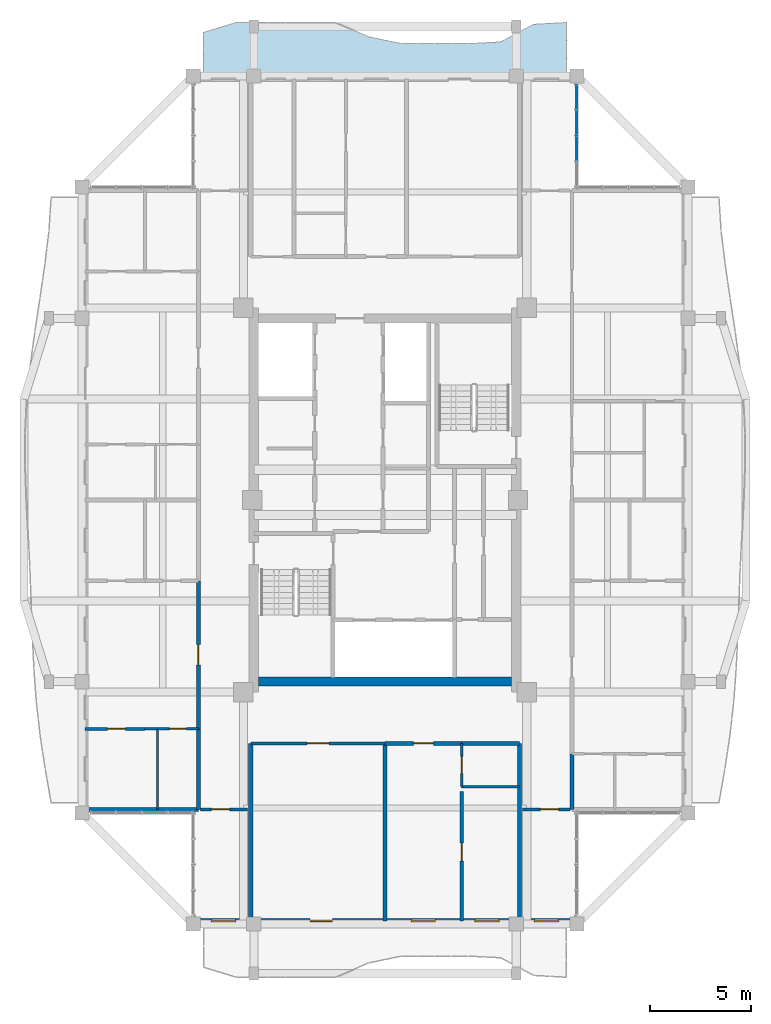
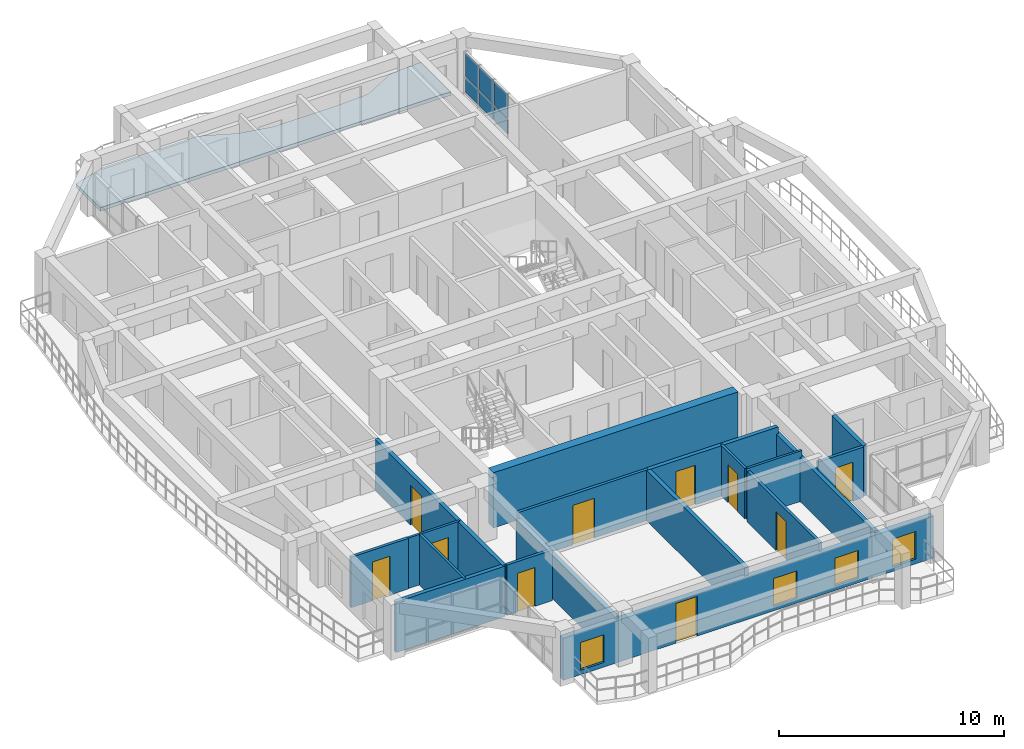
# One storey, part 14 of 24: 21 walls, 10 doors, 6 plates, 4 windows, 1 slab, 14 openings, 1 element without a shape of its own.
"""IFC4 building model written with IfcOpenShell, lengths in metres."""

from ifc_helpers import new_model, si_unit, direction, frame, frame_2d, origin, origin_2d, place, context, subcontext, project, spatial, polyline, rectangle, outline, extrude, source, transform, mapped, material, layer, layer_set, type_object, element, fill, aggregate, save


model = new_model("IFC4")

# Units and contexts
model_context = context("Model", 3, precision=1e-05, world=origin(), true_north=direction((0.0, 1.0)))
body_context = subcontext(model_context, "Body", "Model", "MODEL_VIEW")
ifc_project = project(units=[si_unit("LENGTHUNIT", "METRE"), si_unit("AREAUNIT", "SQUARE_METRE"), si_unit("VOLUMEUNIT", "CUBIC_METRE"), si_unit("PLANEANGLEUNIT", "RADIAN"), si_unit("MASSUNIT", "GRAM", prefix="KILO")], contexts=[model_context])

# Site, building, storey
site_placement = place(None, origin())
site = spatial("IfcSite", under=ifc_project, at=site_placement, CompositionType="ELEMENT")
building_placement = place(site_placement, origin())
building = spatial("IfcBuilding", under=site, at=building_placement, Name="Saelheon Loggia Tower", CompositionType="ELEMENT")
storey_placement = place(building_placement, frame((0.0, 0.0, 246.0)))
storey = spatial("IfcBuildingStorey", under=building, at=storey_placement, Name="L76", CompositionType="ELEMENT", Elevation=246.0)

# Slab
ifc_material_1 = material(Name="Precast Concrete C45/55", Category="concrete")
ifc_layer_1 = layer(ifc_material_1, 0.18994140625)
ifc_layer_set_1 = layer_set([ifc_layer_1], Name="Precast Concrete C45/55")
slab_type = type_object("IfcSlabType", Name="Slab_Loggia_Ext_190", PredefinedType="FLOOR", material=ifc_layer_set_1)
slab_placement = place(storey_placement, frame((0.0, 0.0, -0.18994140625)))
element("IfcSlab", 1, at=slab_placement, inside=storey, type_object=slab_type, Name="L76 Loggia Balcony Slab N", PredefinedType="FLOOR", context=body_context, shape_type="SweptSolid", body=[
    extrude(outline(polyline([(29.0, 48.0), (47.0, 48.0), (47.0, 50.64990234375), (45.363525390625, 50.55859375), (43.727294921875, 49.685302734375), (42.0908203125, 49.60009765625), (40.45458984375, 49.60009765625), (38.818115234375, 49.60009765625), (37.181884765625, 49.943115234375), (35.54541015625, 50.64990234375), (33.9091796875, 50.64990234375), (32.272705078125, 50.64990234375), (30.636474609375, 50.64990234375), (29.0, 50.14990234375), (29.0, 48.0)])), origin(), (0.0, 0.0, 1.0), 0.18994140625),
])

# Curtain wall, plates
ifc_material_2 = material(Name="High-Wind Aluminium and Triple Laminated Glass", Category="aluminium")
ifc_layer_2 = layer(ifc_material_2, 0.179931640625)
ifc_layer_set_2 = layer_set([ifc_layer_2], Name="High-Wind Aluminium and Triple Laminated Glass")
curtain_wall_type = type_object("IfcCurtainWallType", Name="CW_TowerLoggiaHigh", PredefinedType="NOTDEFINED", material=ifc_layer_set_2)
curtain_wall_placement = place(storey_placement, origin())
curtain_wall = element("IfcCurtainWall", 2, at=curtain_wall_placement, inside=storey, type_object=curtain_wall_type, Name="L76 Corner Notch Glazing NE1", PredefinedType="NOTDEFINED")
ifc_material_3 = material(Name="Triple Low-E Laminated Glazing", Category="glass")
ifc_layer_3 = layer(ifc_material_3, 0.0439453125)
ifc_layer_set_3 = layer_set([ifc_layer_3], Name="Triple Low-E Laminated Glazing")
plate_type = type_object("IfcPlateType", Name="CW_TowerLoggiaHigh_Panel", PredefinedType="CURTAIN_PANEL", material=ifc_layer_set_3)
shared_shape_1 = source(origin(), body_context, "Body", "SweptSolid", [
    extrude(rectangle(XDim=1.172607421875, YDim=0.0439453125, at=origin_2d()), origin(), (0.0, 0.0, 1.0), 0.794921875),
])
plate_1_placement = place(storey_placement, frame((47.5, 46.953857421875, 0.070068359375), z_axis=(0.0, 0.0, 1.0), x_axis=(0.0, 1.0, 0.0)))
plate_1 = element("IfcPlate", 3, at=plate_1_placement, type_object=plate_type, Name="CW4 panel 4.1", PredefinedType="CURTAIN_PANEL", context=body_context, shape_type="MappedRepresentation", body=[
    mapped(shared_shape_1, transform((0.0, 0.0, 0.0), scale=1.0)),
])
shared_shape_2 = source(origin(), body_context, "Body", "SweptSolid", [
    extrude(rectangle(XDim=1.20751953125, YDim=0.0439453125, at=origin_2d()), origin(), (0.0, 0.0, 1.0), 0.794921875),
])
plate_2_placement = place(storey_placement, frame((47.5, 44.416259765625, 0.070068359375), z_axis=(0.0, 0.0, 1.0), x_axis=(0.0, 1.0, 0.0)))
plate_2 = element("IfcPlate", 4, at=plate_2_placement, type_object=plate_type, Name="CW4 panel 2.1", PredefinedType="CURTAIN_PANEL", context=body_context, shape_type="MappedRepresentation", body=[
    mapped(shared_shape_2, transform((0.0, 0.0, 0.0), scale=1.0)),
])
plate_3_placement = place(storey_placement, frame((47.5, 45.69384765625, 0.070068359375), z_axis=(0.0, 0.0, 1.0), x_axis=(0.0, 1.0, 0.0)))
plate_3 = element("IfcPlate", 5, at=plate_3_placement, type_object=plate_type, Name="CW4 panel 3.1", PredefinedType="CURTAIN_PANEL", context=body_context, shape_type="MappedRepresentation", body=[
    mapped(shared_shape_2, transform((0.0, 0.0, 0.0), scale=1.0)),
])
shared_shape_3 = source(origin(), body_context, "Body", "SweptSolid", [
    extrude(rectangle(XDim=1.172607421875, YDim=0.0439453125, at=origin_2d()), origin(), (0.0, 0.0, 1.0), 1.27490234375),
])
plate_4_placement = place(storey_placement, frame((47.5, 46.953857421875, 0.93505859375), z_axis=(0.0, 0.0, 1.0), x_axis=(0.0, 1.0, 0.0)))
plate_4 = element("IfcPlate", 6, at=plate_4_placement, type_object=plate_type, Name="CW4 panel 4.2", PredefinedType="CURTAIN_PANEL", context=body_context, shape_type="MappedRepresentation", body=[
    mapped(shared_shape_3, transform((0.0, 0.0, 0.0), scale=1.0)),
])
shared_shape_4 = source(origin(), body_context, "Body", "SweptSolid", [
    extrude(rectangle(XDim=1.20751953125, YDim=0.0439453125, at=origin_2d()), origin(), (0.0, 0.0, 1.0), 1.27490234375),
])
plate_5_placement = place(storey_placement, frame((47.5, 44.416259765625, 0.93505859375), z_axis=(0.0, 0.0, 1.0), x_axis=(0.0, 1.0, 0.0)))
plate_5 = element("IfcPlate", 7, at=plate_5_placement, type_object=plate_type, Name="CW4 panel 2.2", PredefinedType="CURTAIN_PANEL", context=body_context, shape_type="MappedRepresentation", body=[
    mapped(shared_shape_4, transform((0.0, 0.0, 0.0), scale=1.0)),
])
plate_6_placement = place(storey_placement, frame((47.5, 45.69384765625, 0.93505859375), z_axis=(0.0, 0.0, 1.0), x_axis=(0.0, 1.0, 0.0)))
plate_6 = element("IfcPlate", 8, at=plate_6_placement, type_object=plate_type, Name="CW4 panel 3.2", PredefinedType="CURTAIN_PANEL", context=body_context, shape_type="MappedRepresentation", body=[
    mapped(shared_shape_4, transform((0.0, 0.0, 0.0), scale=1.0)),
])
aggregate(curtain_wall, [plate_2, plate_5, plate_3, plate_6, plate_1, plate_4])

# Wall
ifc_material_4 = material(Name="Concrete C45/55", Category="concrete")
ifc_layer_4 = layer(ifc_material_4, 0.449951171875)
ifc_layer_set_4 = layer_set([ifc_layer_4], Name="Concrete C45/55")
wall_type_1 = type_object("IfcWallType", Name="Wall_CoreShear_450", PredefinedType="SHEAR", material=ifc_layer_set_4)
wall_1_placement = place(storey_placement, frame((31.72509765625, 18.0, 0.0), z_axis=(0.0, 0.0, 1.0), x_axis=(1.0, 0.0, 0.0)))
element("IfcWall", 9, at=wall_1_placement, inside=storey, type_object=wall_type_1, Name="L76 Core Shear Wall South", PredefinedType="SHEAR", context=body_context, shape_type="SweptSolid", body=[
    extrude(rectangle(XDim=12.5498046875, YDim=0.449951171875, at=frame_2d((6.27490234375, 0.0))), origin(), (0.0, 0.0, 1.0), 3.0),
])

# Wall, openings, windows, door
ifc_material_5 = material(Name="Architectural Precast Concrete C40/50", Category="concrete")
ifc_layer_5 = layer(ifc_material_5, 0.280029296875)
ifc_layer_set_5 = layer_set([ifc_layer_5], Name="Architectural Precast Concrete C40/50")
wall_type_2 = type_object("IfcWallType", Name="Wall_Ext_Loggia_280", PredefinedType="SOLIDWALL", material=ifc_layer_set_5)
wall_2_placement = place(storey_placement, frame((28.5, 6.139892578125, 0.0), z_axis=(0.0, 0.0, 1.0), x_axis=(1.0, 0.0, 0.0)))
wall_2 = element("IfcWall", 10, at=wall_2_placement, inside=storey, type_object=wall_type_2, Name="L76 South Loggia Inner Wall", PredefinedType="SOLIDWALL", context=body_context, shape_type="SweptSolid", body=[
    extrude(rectangle(XDim=19.0, YDim=0.280029296875, at=frame_2d((9.5, 0.0))), origin(), (0.0, 0.0, 1.0), 2.280029296875),
])
opening_1_placement = place(wall_2_placement, frame((0.89990234375, 0.0, 0.25)))
opening_1 = element("IfcOpeningElement", 11, at=opening_1_placement, cuts=wall_2, Name="Opening WN-03", PredefinedType="OPENING", context=body_context, shape_type="SweptSolid", body=[
    extrude(rectangle(XDim=1.199951171875, YDim=1.5, at=frame_2d((0.60009765625, 0.75))), frame((0.0, 0.152099609375, 0.0), z_axis=(0.0, -1.0, 0.0), x_axis=(1.0, 0.0, 0.0)), (0.0, 0.0, 1.0), 0.303955078125),
])
opening_2_placement = place(wall_2_placement, frame((6.89501953125, 0.0, 0.0), z_axis=(0.0, 0.0, 1.0), x_axis=(-1.0, 0.0, 0.0)))
opening_2 = element("IfcOpeningElement", 12, at=opening_2_placement, cuts=wall_2, Name="Opening TD1", PredefinedType="OPENING", context=body_context, shape_type="SweptSolid", body=[
    extrude(rectangle(XDim=1.10009765625, YDim=2.14990234375, at=frame_2d((0.550048828125, 1.074951171875))), frame((0.0, 0.152099609375, 0.0), z_axis=(0.0, -1.0, 0.0), x_axis=(1.0, 0.0, 0.0)), (0.0, 0.0, 1.0), 0.303955078125),
])
opening_3_placement = place(wall_2_placement, frame((10.800048828125, 0.0, 0.25)))
opening_3 = element("IfcOpeningElement", 13, at=opening_3_placement, cuts=wall_2, Name="Opening WN-03", PredefinedType="OPENING", context=body_context, shape_type="SweptSolid", body=[
    extrude(rectangle(XDim=1.199951171875, YDim=1.5, at=frame_2d((0.60009765625, 0.75))), frame((0.0, 0.152099609375, 0.0), z_axis=(0.0, -1.0, 0.0), x_axis=(1.0, 0.0, 0.0)), (0.0, 0.0, 1.0), 0.303955078125),
])
opening_4_placement = place(wall_2_placement, frame((13.955078125, 0.0, 0.25)))
opening_4 = element("IfcOpeningElement", 14, at=opening_4_placement, cuts=wall_2, Name="Opening WN-03", PredefinedType="OPENING", context=body_context, shape_type="SweptSolid", body=[
    extrude(rectangle(XDim=1.199951171875, YDim=1.5, at=frame_2d((0.60009765625, 0.75))), frame((0.0, 0.152099609375, 0.0), z_axis=(0.0, -1.0, 0.0), x_axis=(1.0, 0.0, 0.0)), (0.0, 0.0, 1.0), 0.303955078125),
])
opening_5_placement = place(wall_2_placement, frame((16.89990234375, 0.0, 0.25)))
opening_5 = element("IfcOpeningElement", 15, at=opening_5_placement, cuts=wall_2, Name="Opening WN-03", PredefinedType="OPENING", context=body_context, shape_type="SweptSolid", body=[
    extrude(rectangle(XDim=1.199951171875, YDim=1.5, at=frame_2d((0.60009765625, 0.75))), frame((0.0, 0.152099609375, 0.0), z_axis=(0.0, -1.0, 0.0), x_axis=(1.0, 0.0, 0.0)), (0.0, 0.0, 1.0), 0.303955078125),
])
ifc_material_6 = material(Name="Thermal-Break Aluminium and Triple Low-E Glass", Category="aluminium")
window_type = type_object("IfcWindowType", Name="Win_Bedroom_1200x1500", PartitioningType="SINGLE_PANEL", PredefinedType="WINDOW", material=ifc_material_6)
shared_shape_5 = source(origin(), body_context, "Body", "SweptSolid", [
    extrude(rectangle(XDim=1.199951171875, YDim=1.5, at=frame_2d((0.60009765625, 0.75))), frame((0.0, 0.030029296875, 0.0), z_axis=(0.0, -1.0, 0.0), x_axis=(1.0, 0.0, 0.0)), (0.0, 0.0, 1.0), 0.06005859375),
])
window_1_placement = place(opening_1_placement, origin())
window_1 = element("IfcWindow", 16, at=window_1_placement, inside=storey, type_object=window_type, Name="L76 S Dwelling Window 1", OverallHeight=1.5, OverallWidth=1.199951171875, PartitioningType="SINGLE_PANEL", PredefinedType="WINDOW", context=body_context, shape_type="MappedRepresentation", body=[
    mapped(shared_shape_5, transform((0.0, 0.0, 0.0), scale=1.0)),
])
fill(opening_1, window_1)
window_2_placement = place(opening_3_placement, origin())
window_2 = element("IfcWindow", 17, at=window_2_placement, inside=storey, type_object=window_type, Name="L76 S Dwelling Window 3", OverallHeight=1.5, OverallWidth=1.199951171875, PartitioningType="SINGLE_PANEL", PredefinedType="WINDOW", context=body_context, shape_type="MappedRepresentation", body=[
    mapped(shared_shape_5, transform((0.0, 0.0, 0.0), scale=1.0)),
])
fill(opening_3, window_2)
window_3_placement = place(opening_4_placement, origin())
window_3 = element("IfcWindow", 18, at=window_3_placement, inside=storey, type_object=window_type, Name="L76 S Dwelling Window 4", OverallHeight=1.5, OverallWidth=1.199951171875, PartitioningType="SINGLE_PANEL", PredefinedType="WINDOW", context=body_context, shape_type="MappedRepresentation", body=[
    mapped(shared_shape_5, transform((0.0, 0.0, 0.0), scale=1.0)),
])
fill(opening_4, window_3)
window_4_placement = place(opening_5_placement, origin())
window_4 = element("IfcWindow", 19, at=window_4_placement, inside=storey, type_object=window_type, Name="L76 S Dwelling Window 5", OverallHeight=1.5, OverallWidth=1.199951171875, PartitioningType="SINGLE_PANEL", PredefinedType="WINDOW", context=body_context, shape_type="MappedRepresentation", body=[
    mapped(shared_shape_5, transform((0.0, 0.0, 0.0), scale=1.0)),
])
fill(opening_5, window_4)
ifc_material_7 = material(Name="Thermal-Break Aluminium Glazed Door", Category="aluminium")
door_type_1 = type_object("IfcDoorType", Name="Door_Terrace_TD1", OperationType="NOTDEFINED", PredefinedType="DOOR", material=ifc_material_7)
shared_shape_6 = source(origin(), body_context, "Body", "SweptSolid", [
    extrude(rectangle(XDim=1.10009765625, YDim=2.14990234375, at=frame_2d((0.550048828125, 1.074951171875))), frame((0.0, 0.02490234375, 0.0), z_axis=(0.0, -1.0, 0.0), x_axis=(1.0, 0.0, 0.0)), (0.0, 0.0, 1.0), 0.050048828125),
])
door_1_placement = place(opening_2_placement, origin())
door_1 = element("IfcDoor", 20, at=door_1_placement, inside=storey, type_object=door_type_1, Name="L76 S Loggia Access Door", OperationType="SINGLE_SWING_RIGHT", OverallHeight=2.14990234375, OverallWidth=1.10009765625, PredefinedType="DOOR", context=body_context, shape_type="MappedRepresentation", body=[
    mapped(shared_shape_6, transform((0.0, 0.0, 0.0), scale=1.0)),
])
fill(opening_2, door_1)

# Wall, opening, door
ifc_material_8 = material(Name="Lightweight Autoclaved Aerated Concrete Block and Acoustic Gypsum", Category="concrete")
ifc_layer_6 = layer(ifc_material_8, 0.14990234375)
ifc_layer_set_6 = layer_set([ifc_layer_6], Name="Lightweight Autoclaved Aerated Concrete Block and Acoustic Gypsum")
wall_type_3 = type_object("IfcWallType", Name="Wall_Part_150", PredefinedType="PARTITIONING", material=ifc_layer_set_6)
wall_3_placement = place(storey_placement, frame((28.85009765625, 11.679931640625, 0.0), z_axis=(0.0, 0.0, 1.0), x_axis=(1.0, 0.0, 0.0)))
wall_3 = element("IfcWall", 21, at=wall_3_placement, inside=storey, type_object=wall_type_3, Name="PW-L76-CSW-H", PredefinedType="PARTITIONING", context=body_context, shape_type="SweptSolid", body=[
    extrude(rectangle(XDim=2.329833984375, YDim=0.14990234375, at=frame_2d((1.1650390625, 0.0))), origin(), (0.0, 0.0, 1.0), 2.739990234375),
])
opening_6_placement = place(wall_3_placement, frame((0.550048828125, 0.0, 0.0)))
opening_6 = element("IfcOpeningElement", 22, at=opening_6_placement, cuts=wall_3, Name="Opening D-IN2", PredefinedType="OPENING", context=body_context, shape_type="SweptSolid", body=[
    extrude(rectangle(XDim=0.89990234375, YDim=2.10009765625, at=frame_2d((0.449951171875, 1.050048828125))), frame((0.0, 0.0869140625, 0.0), z_axis=(0.0, -1.0, 0.0), x_axis=(1.0, 0.0, 0.0)), (0.0, 0.0, 1.0), 0.173828125),
])
ifc_material_9 = material(Name="Engineered Oak Flush Door", Category="timber")
door_type_2 = type_object("IfcDoorType", Name="Door_Int_900", OperationType="NOTDEFINED", PredefinedType="DOOR", material=ifc_material_9)
shared_shape_7 = source(origin(), body_context, "Body", "SweptSolid", [
    extrude(rectangle(XDim=0.89990234375, YDim=2.10009765625, at=frame_2d((0.449951171875, 1.050048828125))), frame((0.0, 0.02490234375, 0.0), z_axis=(0.0, -1.0, 0.0), x_axis=(1.0, 0.0, 0.0)), (0.0, 0.0, 1.0), 0.050048828125),
])
door_2_placement = place(opening_6_placement, origin())
door_2 = element("IfcDoor", 23, at=door_2_placement, inside=storey, type_object=door_type_2, Name="L76 Corner Home Office SW Door", OperationType="SINGLE_SWING_LEFT", OverallHeight=2.10009765625, OverallWidth=0.89990234375, PredefinedType="DOOR", context=body_context, shape_type="MappedRepresentation", body=[
    mapped(shared_shape_7, transform((0.0, 0.0, 0.0), scale=1.0)),
])
fill(opening_6, door_2)

wall_4_placement = place(storey_placement, frame((44.820068359375, 11.679931640625, 0.0), z_axis=(0.0, 0.0, 1.0), x_axis=(1.0, 0.0, 0.0)))
wall_4 = element("IfcWall", 24, at=wall_4_placement, inside=storey, type_object=wall_type_3, Name="PW-L76-CSE-H", PredefinedType="PARTITIONING", context=body_context, shape_type="SweptSolid", body=[
    extrude(rectangle(XDim=2.329833984375, YDim=0.14990234375, at=frame_2d((1.1650390625, 0.0))), origin(), (0.0, 0.0, 1.0), 2.739990234375),
])
opening_7_placement = place(wall_4_placement, frame((0.8798828125, 0.0, 0.0)))
opening_7 = element("IfcOpeningElement", 25, at=opening_7_placement, cuts=wall_4, Name="Opening D-IN2", PredefinedType="OPENING", context=body_context, shape_type="SweptSolid", body=[
    extrude(rectangle(XDim=0.89990234375, YDim=2.10009765625, at=frame_2d((0.449951171875, 1.050048828125))), frame((0.0, 0.0869140625, 0.0), z_axis=(0.0, -1.0, 0.0), x_axis=(1.0, 0.0, 0.0)), (0.0, 0.0, 1.0), 0.173828125),
])
door_3_placement = place(opening_7_placement, origin())
door_3 = element("IfcDoor", 26, at=door_3_placement, inside=storey, type_object=door_type_2, Name="L76 Corner Reading Room SE Door", OperationType="SINGLE_SWING_LEFT", OverallHeight=2.10009765625, OverallWidth=0.89990234375, PredefinedType="DOOR", context=body_context, shape_type="MappedRepresentation", body=[
    mapped(shared_shape_7, transform((0.0, 0.0, 0.0), scale=1.0)),
])
fill(opening_7, door_3)

wall_5_placement = place(storey_placement, frame((31.35009765625, 14.949951171875, 0.0), z_axis=(0.0, 0.0, 1.0), x_axis=(1.0, 0.0, 0.0)))
wall_5 = element("IfcWall", 27, at=wall_5_placement, inside=storey, type_object=wall_type_3, Name="L76 S Partition V03", PredefinedType="PARTITIONING", context=body_context, shape_type="SweptSolid", body=[
    extrude(rectangle(XDim=6.64990234375, YDim=0.14990234375, at=frame_2d((3.324951171875, 0.0))), origin(), (0.0, 0.0, 1.0), 2.739990234375),
])
opening_8_placement = place(wall_5_placement, frame((2.77490234375, 0.0, 0.0)))
opening_8 = element("IfcOpeningElement", 28, at=opening_8_placement, cuts=wall_5, Name="Opening D-FD2", PredefinedType="OPENING", context=body_context, shape_type="SweptSolid", body=[
    extrude(rectangle(XDim=1.10009765625, YDim=2.14990234375, at=frame_2d((0.550048828125, 1.074951171875))), frame((0.0, 0.0869140625, 0.0), z_axis=(0.0, -1.0, 0.0), x_axis=(1.0, 0.0, 0.0)), (0.0, 0.0, 1.0), 0.173828125),
])
ifc_material_10 = material(Name="Galvanised Steel Fire Door", Category="steel")
door_type_3 = type_object("IfcDoorType", Name="Door_Fire_FD60_1100", OperationType="NOTDEFINED", PredefinedType="DOOR", material=ifc_material_10)
door_4_placement = place(opening_8_placement, origin())
door_4 = element("IfcDoor", 29, at=door_4_placement, inside=storey, type_object=door_type_3, Name="L76 Community Reading Library Door A", OperationType="SINGLE_SWING_LEFT", OverallHeight=2.14990234375, OverallWidth=1.10009765625, PredefinedType="DOOR", context=body_context, shape_type="MappedRepresentation", body=[
    mapped(shared_shape_6, transform((0.0, 0.0, 0.0), scale=1.0)),
])
fill(opening_8, door_4)

wall_6_placement = place(storey_placement, frame((41.800048828125, 12.550048828125, 0.0), z_axis=(0.0, 0.0, 1.0), x_axis=(0.0, -1.0, 0.0)))
wall_6 = element("IfcWall", 30, at=wall_6_placement, inside=storey, type_object=wall_type_3, Name="L76 S Partition U09", PredefinedType="PARTITIONING", context=body_context, shape_type="SweptSolid", body=[
    extrude(rectangle(XDim=6.400146484375, YDim=0.14990234375, at=frame_2d((3.2001953125, 0.0))), origin(), (0.0, 0.0, 1.0), 2.739990234375),
])
opening_9_placement = place(wall_6_placement, frame((2.540771484375, 0.0, 0.0)))
opening_9 = element("IfcOpeningElement", 31, at=opening_9_placement, cuts=wall_6, Name="Opening D-IN2", PredefinedType="OPENING", context=body_context, shape_type="SweptSolid", body=[
    extrude(rectangle(XDim=0.89990234375, YDim=2.10009765625, at=frame_2d((0.449951171875, 1.050048828125))), frame((0.0, 0.0869140625, 0.0), z_axis=(0.0, -1.0, 0.0), x_axis=(1.0, 0.0, 0.0)), (0.0, 0.0, 1.0), 0.173828125),
])
door_5_placement = place(opening_9_placement, origin())
door_5 = element("IfcDoor", 32, at=door_5_placement, inside=storey, type_object=door_type_2, Name="Unit U01 Kitchen Door", OperationType="SINGLE_SWING_RIGHT", OverallHeight=2.10009765625, OverallWidth=0.89990234375, PredefinedType="DOOR", context=body_context, shape_type="MappedRepresentation", body=[
    mapped(shared_shape_7, transform((0.0, 0.0, 0.0), scale=1.0)),
])
fill(opening_9, door_5)

wall_7_placement = place(storey_placement, frame((26.110107421875, 15.6630859375, 0.0), z_axis=(0.0, 0.0, 1.0), x_axis=(-1.0, 0.0, 0.0)))
wall_7 = element("IfcWall", 33, at=wall_7_placement, inside=storey, type_object=wall_type_3, Name="L76 W Partition U10", PredefinedType="PARTITIONING", context=body_context, shape_type="SweptSolid", body=[
    extrude(rectangle(XDim=2.960205078125, YDim=0.14990234375, at=frame_2d((1.47998046875, 0.0))), origin(), (0.0, 0.0, 1.0), 2.739990234375),
])
opening_10_placement = place(wall_7_placement, frame((0.964111328125, 0.0, 0.0)))
opening_10 = element("IfcOpeningElement", 34, at=opening_10_placement, cuts=wall_7, Name="Opening D-IN2", PredefinedType="OPENING", context=body_context, shape_type="SweptSolid", body=[
    extrude(rectangle(XDim=0.89990234375, YDim=2.10009765625, at=frame_2d((0.449951171875, 1.050048828125))), frame((0.0, 0.0869140625, 0.0), z_axis=(0.0, -1.0, 0.0), x_axis=(1.0, 0.0, 0.0)), (0.0, 0.0, 1.0), 0.173828125),
])
door_6_placement = place(opening_10_placement, origin())
door_6 = element("IfcDoor", 35, at=door_6_placement, inside=storey, type_object=door_type_2, Name="Unit U03 Bedroom 2 Door", OperationType="SINGLE_SWING_RIGHT", OverallHeight=2.10009765625, OverallWidth=0.89990234375, PredefinedType="DOOR", context=body_context, shape_type="MappedRepresentation", body=[
    mapped(shared_shape_7, transform((0.0, 0.0, 0.0), scale=1.0)),
])
fill(opening_10, door_6)

# Walls
ifc_material_11 = material(Name="Double Acoustic Stud and Fireboard Partition", Category="gypsum")
ifc_layer_7 = layer(ifc_material_11, 0.199951171875)
ifc_layer_set_7 = layer_set([ifc_layer_7], Name="Double Acoustic Stud and Fireboard Partition")
wall_type_4 = type_object("IfcWallType", Name="Wall_Party_200", PredefinedType="PARTITIONING", material=ifc_layer_set_7)
for number, where, z_axis, x_axis, name in (
    (36, (31.35009765625, 14.949951171875, 0.0), (0.0, 0.0, 1.0), (0.0, -1.0, 0.0), "L76 S Partition U01"),
    (37, (44.64990234375, 14.949951171875, 0.0), (0.0, 0.0, 1.0), (0.0, -1.0, 0.0), "L76 S Partition U02"),
):
    element("IfcWall", number, at=place(storey_placement, frame(where, z_axis=z_axis, x_axis=x_axis)), inside=storey, type_object=wall_type_4, Name=name, PredefinedType="PARTITIONING", context=body_context, shape_type="SweptSolid", body=[
        extrude(rectangle(XDim=8.800048828125, YDim=0.199951171875, at=frame_2d((4.39990234375, 0.0))), origin(), (0.0, 0.0, 1.0), 2.389892578125),
    ])
wall_8_placement = place(storey_placement, frame((38.0, 14.949951171875, 0.0), z_axis=(0.0, 0.0, 1.0), x_axis=(0.0, -1.0, 0.0)))
element("IfcWall", 38, at=wall_8_placement, inside=storey, type_object=wall_type_4, Name="L76 S Partition U04", PredefinedType="PARTITIONING", context=body_context, shape_type="SweptSolid", body=[
    extrude(rectangle(XDim=8.800048828125, YDim=0.199951171875, at=frame_2d((4.39990234375, 0.0))), origin(), (0.0, 0.0, 1.0), 2.739990234375),
])

# Wall, opening, door
wall_9_placement = place(storey_placement, frame((38.0, 14.949951171875, 0.0), z_axis=(0.0, 0.0, 1.0), x_axis=(1.0, 0.0, 0.0)))
wall_9 = element("IfcWall", 39, at=wall_9_placement, inside=storey, type_object=wall_type_4, Name="L76 S Partition V05", PredefinedType="PARTITIONING", context=body_context, shape_type="SweptSolid", body=[
    extrude(rectangle(XDim=3.800048828125, YDim=0.199951171875, at=frame_2d((1.89990234375, 0.0))), origin(), (0.0, 0.0, 1.0), 2.739990234375),
])
opening_11_placement = place(wall_9_placement, frame((1.39990234375, 0.0, 0.0)))
opening_11 = element("IfcOpeningElement", 40, at=opening_11_placement, cuts=wall_9, Name="Opening D-FD1", PredefinedType="OPENING", context=body_context, shape_type="SweptSolid", body=[
    extrude(rectangle(XDim=1.0, YDim=2.14990234375, at=frame_2d((0.5, 1.074951171875))), frame((0.0, 0.112060546875, 0.0), z_axis=(0.0, -1.0, 0.0), x_axis=(1.0, 0.0, 0.0)), (0.0, 0.0, 1.0), 0.223876953125),
])
ifc_material_12 = material(Name="Fire-Rated Engineered Timber Entrance Door", Category="wood")
door_type_4 = type_object("IfcDoorType", Name="Door_Flat_FD30S", OperationType="NOTDEFINED", PredefinedType="DOOR", material=ifc_material_12)
shared_shape_8 = source(origin(), body_context, "Body", "SweptSolid", [
    extrude(rectangle(XDim=1.0, YDim=2.14990234375, at=frame_2d((0.5, 1.074951171875))), frame((0.0, 0.02490234375, 0.0), z_axis=(0.0, -1.0, 0.0), x_axis=(1.0, 0.0, 0.0)), (0.0, 0.0, 1.0), 0.050048828125),
])
door_7_placement = place(opening_11_placement, origin())
door_7 = element("IfcDoor", 41, at=door_7_placement, inside=storey, type_object=door_type_4, Name="Unit U01 Entrance Door", OperationType="SINGLE_SWING_RIGHT", OverallHeight=2.14990234375, OverallWidth=1.0, PredefinedType="DOOR", context=body_context, shape_type="MappedRepresentation", body=[
    mapped(shared_shape_8, transform((0.0, 0.0, 0.0), scale=1.0)),
])
fill(opening_11, door_7)

# Walls
wall_10_placement = place(storey_placement, frame((41.800048828125, 14.949951171875, 0.0), z_axis=(0.0, 0.0, 1.0), x_axis=(1.0, 0.0, 0.0)))
element("IfcWall", 42, at=wall_10_placement, inside=storey, type_object=wall_type_4, Name="L76 S Partition V06", PredefinedType="PARTITIONING", context=body_context, shape_type="SweptSolid", body=[
    extrude(rectangle(XDim=2.849853515625, YDim=0.199951171875, at=frame_2d((1.4248046875, 0.0))), origin(), (0.0, 0.0, 1.0), 2.739990234375),
])
wall_11_placement = place(storey_placement, frame((28.75, 11.679931640625, 0.0), z_axis=(0.0, 0.0, 1.0), x_axis=(-1.0, 0.0, 0.0)))
element("IfcWall", 43, at=wall_11_placement, inside=storey, type_object=wall_type_4, Name="L76 W Partition U01", PredefinedType="PARTITIONING", context=body_context, shape_type="SweptSolid", body=[
    extrude(rectangle(XDim=5.60009765625, YDim=0.199951171875, at=frame_2d((2.800048828125, 0.0))), origin(), (0.0, 0.0, 1.0), 2.739990234375),
])
wall_12_placement = place(storey_placement, frame((28.75, 11.679931640625, 0.0), z_axis=(0.0, 0.0, 1.0), x_axis=(0.0, 1.0, 0.0)))
element("IfcWall", 44, at=wall_12_placement, inside=storey, type_object=wall_type_4, Name="L76 W Partition V03", PredefinedType="PARTITIONING", context=body_context, shape_type="SweptSolid", body=[
    extrude(rectangle(XDim=3.983154296875, YDim=0.199951171875, at=frame_2d((1.99169921875, 0.0))), origin(), (0.0, 0.0, 1.0), 2.739990234375),
])

# Wall, opening, door
wall_13_placement = place(storey_placement, frame((28.75, 15.6630859375, 0.0), z_axis=(0.0, 0.0, 1.0), x_axis=(0.0, 1.0, 0.0)))
wall_13 = element("IfcWall", 45, at=wall_13_placement, inside=storey, type_object=wall_type_4, Name="L76 W Partition V04", PredefinedType="PARTITIONING", context=body_context, shape_type="SweptSolid", body=[
    extrude(rectangle(XDim=7.3369140625, YDim=0.199951171875, at=frame_2d((3.66845703125, 0.0))), origin(), (0.0, 0.0, 1.0), 2.739990234375),
])
opening_12_placement = place(wall_13_placement, frame((3.16845703125, 0.0, 0.0)))
opening_12 = element("IfcOpeningElement", 46, at=opening_12_placement, cuts=wall_13, Name="Opening D-FD1", PredefinedType="OPENING", context=body_context, shape_type="SweptSolid", body=[
    extrude(rectangle(XDim=1.0, YDim=2.14990234375, at=frame_2d((0.5, 1.074951171875))), frame((0.0, 0.112060546875, 0.0), z_axis=(0.0, -1.0, 0.0), x_axis=(1.0, 0.0, 0.0)), (0.0, 0.0, 1.0), 0.223876953125),
])
door_8_placement = place(opening_12_placement, origin())
door_8 = element("IfcDoor", 47, at=door_8_placement, inside=storey, type_object=door_type_4, Name="Unit U03 Entrance Door", OperationType="SINGLE_SWING_RIGHT", OverallHeight=2.14990234375, OverallWidth=1.0, PredefinedType="DOOR", context=body_context, shape_type="MappedRepresentation", body=[
    mapped(shared_shape_8, transform((0.0, 0.0, 0.0), scale=1.0)),
])
fill(opening_12, door_8)

# Wall
wall_14_placement = place(storey_placement, frame((47.25, 11.679931640625, 0.0), z_axis=(0.0, 0.0, 1.0), x_axis=(0.0, 1.0, 0.0)))
element("IfcWall", 48, at=wall_14_placement, inside=storey, type_object=wall_type_4, Name="L76 E Partition V03", PredefinedType="PARTITIONING", context=body_context, shape_type="SweptSolid", body=[
    extrude(rectangle(XDim=2.75, YDim=0.199951171875, at=frame_2d((1.375, 0.0))), origin(), (0.0, 0.0, 1.0), 2.739990234375),
])

# Wall, opening, door
ifc_material_13 = material(Name="Moisture-Resistant Cement Board Partition", Category="gypsum")
ifc_layer_8 = layer(ifc_material_13, 0.1201171875)
ifc_layer_set_8 = layer_set([ifc_layer_8], Name="Moisture-Resistant Cement Board Partition")
wall_type_5 = type_object("IfcWallType", Name="Wall_WetPart_120", PredefinedType="PARTITIONING", material=ifc_layer_set_8)
wall_15_placement = place(storey_placement, frame((41.800048828125, 14.949951171875, 0.0), z_axis=(0.0, 0.0, 1.0), x_axis=(0.0, -1.0, 0.0)))
wall_15 = element("IfcWall", 49, at=wall_15_placement, inside=storey, type_object=wall_type_5, Name="L76 S Partition U07", PredefinedType="PARTITIONING", context=body_context, shape_type="SweptSolid", body=[
    extrude(rectangle(XDim=2.14990234375, YDim=0.1201171875, at=frame_2d((1.074951171875, 0.0))), origin(), (0.0, 0.0, 1.0), 2.739990234375),
])
opening_13_placement = place(wall_15_placement, frame((0.64990234375, 0.0, 0.0)))
opening_13 = element("IfcOpeningElement", 50, at=opening_13_placement, cuts=wall_15, Name="Opening D-BT1", PredefinedType="OPENING", context=body_context, shape_type="SweptSolid", body=[
    extrude(rectangle(XDim=0.85009765625, YDim=2.050048828125, at=frame_2d((0.425048828125, 1.02490234375))), frame((0.0, 0.072021484375, 0.0), z_axis=(0.0, -1.0, 0.0), x_axis=(1.0, 0.0, 0.0)), (0.0, 0.0, 1.0), 0.14404296875),
])
ifc_material_14 = material(Name="Moisture-Resistant Laminate Timber Door", Category="wood")
door_type_5 = type_object("IfcDoorType", Name="Door_Bath_850", OperationType="NOTDEFINED", PredefinedType="DOOR", material=ifc_material_14)
shared_shape_9 = source(origin(), body_context, "Body", "SweptSolid", [
    extrude(rectangle(XDim=0.85009765625, YDim=2.050048828125, at=frame_2d((0.425048828125, 1.02490234375))), frame((0.0, 0.02490234375, 0.0), z_axis=(0.0, -1.0, 0.0), x_axis=(1.0, 0.0, 0.0)), (0.0, 0.0, 1.0), 0.050048828125),
])
door_9_placement = place(opening_13_placement, origin())
door_9 = element("IfcDoor", 51, at=door_9_placement, inside=storey, type_object=door_type_5, Name="Unit U01 Bathroom Door", OperationType="SINGLE_SWING_LEFT", OverallHeight=2.050048828125, OverallWidth=0.85009765625, PredefinedType="DOOR", context=body_context, shape_type="MappedRepresentation", body=[
    mapped(shared_shape_9, transform((0.0, 0.0, 0.0), scale=1.0)),
])
fill(opening_13, door_9)

# Walls
wall_16_placement = place(storey_placement, frame((41.800048828125, 12.800048828125, 0.0), z_axis=(0.0, 0.0, 1.0), x_axis=(1.0, 0.0, 0.0)))
element("IfcWall", 52, at=wall_16_placement, inside=storey, type_object=wall_type_5, Name="L76 S Partition V08", PredefinedType="PARTITIONING", context=body_context, shape_type="SweptSolid", body=[
    extrude(rectangle(XDim=2.849853515625, YDim=0.1201171875, at=frame_2d((1.4248046875, 0.0))), origin(), (0.0, 0.0, 1.0), 2.739990234375),
])
wall_17_placement = place(storey_placement, frame((26.72998046875, 11.679931640625, 0.0), z_axis=(0.0, 0.0, 1.0), x_axis=(0.0, 1.0, 0.0)))
element("IfcWall", 53, at=wall_17_placement, inside=storey, type_object=wall_type_5, Name="L76 W Partition V06", PredefinedType="PARTITIONING", context=body_context, shape_type="SweptSolid", body=[
    extrude(rectangle(XDim=3.983154296875, YDim=0.1201171875, at=frame_2d((1.99169921875, 0.0))), origin(), (0.0, 0.0, 1.0), 2.739990234375),
])

# Wall, opening, door
wall_18_placement = place(storey_placement, frame((28.75, 15.6630859375, 0.0), z_axis=(0.0, 0.0, 1.0), x_axis=(-1.0, 0.0, 0.0)))
wall_18 = element("IfcWall", 54, at=wall_18_placement, inside=storey, type_object=wall_type_5, Name="L76 W Partition U08", PredefinedType="PARTITIONING", context=body_context, shape_type="SweptSolid", body=[
    extrude(rectangle(XDim=2.02001953125, YDim=0.1201171875, at=frame_2d((1.010009765625, 0.0))), origin(), (0.0, 0.0, 1.0), 2.739990234375),
])
opening_14_placement = place(wall_18_placement, frame((0.5849609375, 0.0, 0.0)))
opening_14 = element("IfcOpeningElement", 55, at=opening_14_placement, cuts=wall_18, Name="Opening D-BT1", PredefinedType="OPENING", context=body_context, shape_type="SweptSolid", body=[
    extrude(rectangle(XDim=0.85009765625, YDim=2.050048828125, at=frame_2d((0.425048828125, 1.02490234375))), frame((0.0, 0.072021484375, 0.0), z_axis=(0.0, -1.0, 0.0), x_axis=(1.0, 0.0, 0.0)), (0.0, 0.0, 1.0), 0.14404296875),
])
door_10_placement = place(opening_14_placement, origin())
door_10 = element("IfcDoor", 56, at=door_10_placement, inside=storey, type_object=door_type_5, Name="Unit U03 Bathroom Door", OperationType="SINGLE_SWING_LEFT", OverallHeight=2.050048828125, OverallWidth=0.85009765625, PredefinedType="DOOR", context=body_context, shape_type="MappedRepresentation", body=[
    mapped(shared_shape_9, transform((0.0, 0.0, 0.0), scale=1.0)),
])
fill(opening_14, door_10)

# Wall
wall_19_placement = place(storey_placement, frame((26.72998046875, 15.6630859375, 0.0), z_axis=(0.0, 0.0, 1.0), x_axis=(-1.0, 0.0, 0.0)))
element("IfcWall", 57, at=wall_19_placement, inside=storey, type_object=wall_type_5, Name="L76 W Partition U09", PredefinedType="PARTITIONING", context=body_context, shape_type="SweptSolid", body=[
    extrude(rectangle(XDim=0.619873046875, YDim=0.1201171875, at=frame_2d((0.31005859375, 0.0))), origin(), (0.0, 0.0, 1.0), 2.739990234375),
])

save(model, "model.ifc")
